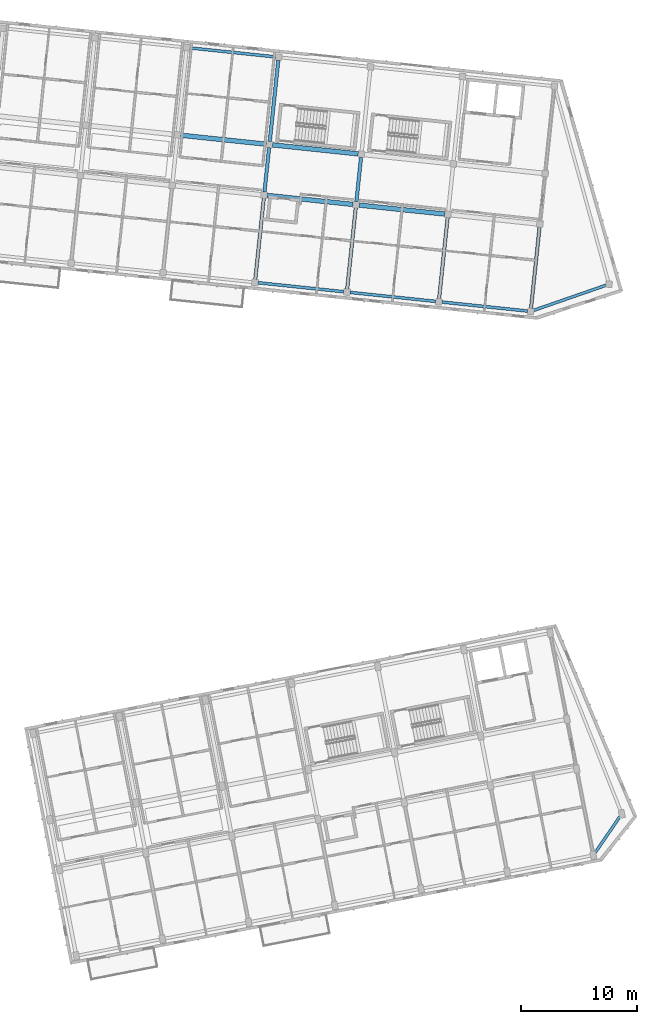
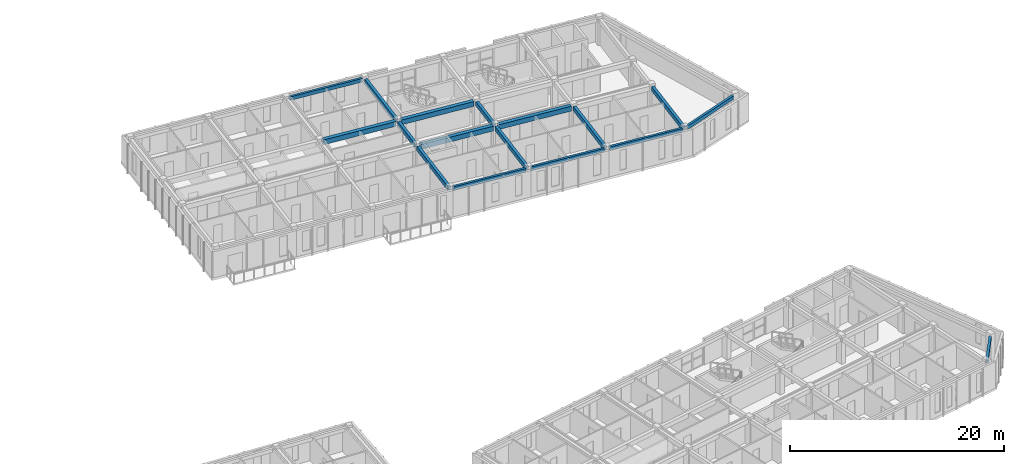
# One storey, part 12 of 66: 17 beams.
"""IFC4 building model written with IfcOpenShell, lengths in metres."""

from ifc_helpers import new_model, si_unit, direction, frame, origin, origin_2d, place, context, subcontext, project, spatial, rectangle, extrude, material, material_profile, profile_set, type_object, element, save


model = new_model("IFC4")

# Units and contexts
model_context = context("Model", 3, precision=1e-05, world=origin(), true_north=direction((0.0, 1.0)))
body_context = subcontext(model_context, "Body", "Model", "MODEL_VIEW")
ifc_project = project(units=[si_unit("LENGTHUNIT", "METRE"), si_unit("AREAUNIT", "SQUARE_METRE"), si_unit("VOLUMEUNIT", "CUBIC_METRE"), si_unit("PLANEANGLEUNIT", "RADIAN"), si_unit("MASSUNIT", "GRAM", prefix="KILO")], contexts=[model_context])

# Site, building, storey
site_placement = place(None, origin())
site = spatial("IfcSite", under=ifc_project, at=site_placement, CompositionType="ELEMENT")
building_placement = place(site_placement, origin())
building = spatial("IfcBuilding", under=site, at=building_placement, Name="Kestramere Prow Commons", CompositionType="ELEMENT")
storey_placement = place(building_placement, frame((0.0, 0.0, 14.89990234375)))
storey = spatial("IfcBuildingStorey", under=building, at=storey_placement, Name="L04", CompositionType="ELEMENT", Elevation=14.89990234375)

# Beams
ifc_material = material(Name="Precast concrete C40/50", Category="concrete")
ifc_material_profile_1 = material_profile(ifc_material, rectangle(XDim=0.39990234375, YDim=0.550048828125, at=origin_2d()), Name="PC-BM 400x550")
ifc_profile_set_1 = profile_set([ifc_material_profile_1], Name="Precast concrete C40/50")
beam_type_1 = type_object("IfcBeamType", Name="BM-B1 PC-BM 400x550", PredefinedType="BEAM", material=ifc_profile_set_1)
for number, where, z_axis, x_axis, name in (
    (1, (134.9365234375, 99.821044921875, 2.72509765625), (0.994520884665, -0.104538079019, 0.0), (0.104538079019, 0.994520884665, 0.0), "Block B L04 Longitudinal Beam 2-4"),
    (2, (142.892578125, 98.984619140625, 2.72509765625), (0.994524291149, -0.104505666419, 0.0), (0.104505666419, 0.994524291149, 0.0), "Block B L04 Longitudinal Beam 2-5"),
    (3, (127.440185546875, 105.032958984375, 2.72509765625), (0.994524291149, -0.104505666419, 0.0), (0.104505666419, 0.994524291149, 0.0), "Block B L04 Longitudinal Beam 3-3"),
):
    element("IfcBeam", number, at=place(storey_placement, frame(where, z_axis=z_axis, x_axis=x_axis)), inside=storey, type_object=beam_type_1, Name=name, PredefinedType="BEAM", context=body_context, shape_type="SweptSolid", body=[
        extrude(rectangle(XDim=0.39990234375, YDim=0.550048828125, at=origin_2d()), origin(), (0.0, 0.0, 1.0), 7.449951171875),
    ])
beam_1_placement = place(storey_placement, frame((135.396240234375, 104.19677734375, 2.72509765625), z_axis=(0.994524649035, -0.104502260561, 0.0), x_axis=(0.104502260561, 0.994524649035, 0.0)))
element("IfcBeam", 4, at=beam_1_placement, inside=storey, type_object=beam_type_1, Name="Block B L04 Longitudinal Beam 3-4", PredefinedType="BEAM", context=body_context, shape_type="SweptSolid", body=[
    extrude(rectangle(XDim=0.39990234375, YDim=0.550048828125, at=origin_2d()), origin(), (0.0, 0.0, 1.0), 7.4501953125),
])
ifc_material_profile_2 = material_profile(ifc_material, rectangle(XDim=0.300048828125, YDim=0.5, at=origin_2d()), Name="PC-BM 300x500")
ifc_profile_set_2 = profile_set([ifc_material_profile_2], Name="Precast concrete C40/50")
beam_type_2 = type_object("IfcBeamType", Name="BM-TIE-01 PC-BM 300x500", PredefinedType="BEAM", material=ifc_profile_set_2)
beam_2_placement = place(storey_placement, frame((133.897216796875, 92.564697265625, 2.75), z_axis=(0.104545981508, 0.994520053971, 0.0), x_axis=(-0.994520053971, 0.104545981508, 0.0)))
element("IfcBeam", 5, at=beam_2_placement, inside=storey, type_object=beam_type_2, Name="Block B L04 Transverse Beam 4-1", PredefinedType="BEAM", context=body_context, shape_type="SweptSolid", body=[
    extrude(rectangle(XDim=0.300048828125, YDim=0.5, at=origin_2d()), origin(), (0.0, 0.0, 1.0), 7.050048828125),
])
beam_3_placement = place(storey_placement, frame((134.691650390625, 100.123291015625, 2.75), z_axis=(0.104569249198, 0.994517607749, 0.0), x_axis=(-0.994517607749, 0.104569249198, 0.0)))
element("IfcBeam", 6, at=beam_3_placement, inside=storey, type_object=beam_type_2, Name="Block B L04 Transverse Beam 4-2", PredefinedType="BEAM", context=body_context, shape_type="SweptSolid", body=[
    extrude(rectangle(XDim=0.300048828125, YDim=0.5, at=origin_2d()), origin(), (0.0, 0.0, 1.0), 3.849853515625),
])
for number, where, z_axis, x_axis, name in (
    (7, (135.151611328125, 104.4990234375, 2.75), (0.104511730475, 0.994523653913, 0.0), (-0.994523653913, 0.104511730475, 0.0), "Block B L04 Transverse Beam 4-3"),
    (8, (141.853515625, 91.728515625, 2.75), (0.104511730475, 0.994523653913, 0.0), (-0.994523653913, 0.104511730475, 0.0), "Block B L04 Transverse Beam 5-1"),
):
    element("IfcBeam", number, at=place(storey_placement, frame(where, z_axis=z_axis, x_axis=x_axis)), inside=storey, type_object=beam_type_2, Name=name, PredefinedType="BEAM", context=body_context, shape_type="SweptSolid", body=[
        extrude(rectangle(XDim=0.300048828125, YDim=0.5, at=origin_2d()), origin(), (0.0, 0.0, 1.0), 7.050048828125),
    ])
beam_4_placement = place(storey_placement, frame((142.64794921875, 99.286865234375, 2.75), z_axis=(0.104499937761, 0.994524893106, 0.0), x_axis=(-0.994524893106, 0.104499937761, 0.0)))
element("IfcBeam", 9, at=beam_4_placement, inside=storey, type_object=beam_type_2, Name="Block B L04 Transverse Beam 5-2", PredefinedType="BEAM", context=body_context, shape_type="SweptSolid", body=[
    extrude(rectangle(XDim=0.300048828125, YDim=0.5, at=origin_2d()), origin(), (0.0, 0.0, 1.0), 3.85009765625),
])
for number, where, z_axis, x_axis, name in (
    (10, (149.8095703125, 90.892333984375, 2.75), (0.104545981508, 0.994520053971, 0.0), (-0.994520053971, 0.104545981508, 0.0), "Block B L04 Transverse Beam 6-1"),
    (11, (157.765869140625, 90.05615234375, 2.75), (0.104511730475, 0.994523653913, 0.0), (-0.994523653913, 0.104511730475, 0.0), "Block B L04 Transverse Beam 7-1"),
):
    element("IfcBeam", number, at=place(storey_placement, frame(where, z_axis=z_axis, x_axis=x_axis)), inside=storey, type_object=beam_type_2, Name=name, PredefinedType="BEAM", context=body_context, shape_type="SweptSolid", body=[
        extrude(rectangle(XDim=0.300048828125, YDim=0.5, at=origin_2d()), origin(), (0.0, 0.0, 1.0), 7.050048828125),
    ])
ifc_material_profile_3 = material_profile(ifc_material, rectangle(XDim=0.25, YDim=0.39990234375, at=origin_2d()), Name="PC-SP 250x400")
ifc_profile_set_3 = profile_set([ifc_material_profile_3], Name="Precast concrete C40/50")
beam_type_3 = type_object("IfcBeamType", Name="SP-EXT-01 PC-SP 250x400", PredefinedType="SPANDREL", material=ifc_profile_set_3)
beam_5_placement = place(storey_placement, frame((158.00146484375, 89.87451171875, 2.800048828125), z_axis=(0.944739829863, 0.327821069901, 0.0), x_axis=(-0.327821069901, 0.944739829863, 0.0)))
element("IfcBeam", 12, at=beam_5_placement, inside=storey, type_object=beam_type_3, Name="Block B L04 Prow Facet Beam S", PredefinedType="SPANDREL", context=body_context, shape_type="SweptSolid", body=[
    extrude(rectangle(XDim=0.25, YDim=0.39990234375, at=origin_2d()), origin(), (0.0, 0.0, 1.0), 6.619873046875),
])
for number, where, z_axis, x_axis, name in (
    (13, (134.14208984375, 92.262451171875, 2.800048828125), (0.994524291149, -0.104505666419, 0.0), (0.104505666419, 0.994524291149, 0.0), "Block B L04 Longitudinal Beam 1-4"),
    (14, (142.09814453125, 91.42626953125, 2.800048828125), (0.994524291149, -0.104505666419, 0.0), (0.104505666419, 0.994524291149, 0.0), "Block B L04 Longitudinal Beam 1-5"),
    (15, (150.054443359375, 90.590087890625, 2.800048828125), (0.994520884665, -0.104538079019, 0.0), (0.104538079019, 0.994520884665, 0.0), "Block B L04 Longitudinal Beam 1-6"),
    (16, (128.234619140625, 112.59130859375, 2.800048828125), (0.994524291149, -0.104505666419, 0.0), (0.104505666419, 0.994524291149, 0.0), "Block B L04 Longitudinal Beam 4-3"),
):
    element("IfcBeam", number, at=place(storey_placement, frame(where, z_axis=z_axis, x_axis=x_axis)), inside=storey, type_object=beam_type_3, Name=name, PredefinedType="SPANDREL", context=body_context, shape_type="SweptSolid", body=[
        extrude(rectangle(XDim=0.25, YDim=0.39990234375, at=origin_2d()), origin(), (0.0, 0.0, 1.0), 7.449951171875),
    ])
beam_6_placement = place(storey_placement, frame((163.320556640625, 42.931640625, 2.800048828125), z_axis=(0.565935255914, 0.824449686829, 0.0), x_axis=(-0.824449686829, 0.565935255914, 0.0)))
element("IfcBeam", 17, at=beam_6_placement, inside=storey, type_object=beam_type_3, Name="Block D L04 Prow Facet Beam S", PredefinedType="SPANDREL", context=body_context, shape_type="SweptSolid", body=[
    extrude(rectangle(XDim=0.25, YDim=0.39990234375, at=origin_2d()), origin(), (0.0, 0.0, 1.0), 3.788818359375),
])

save(model, "model.ifc")
